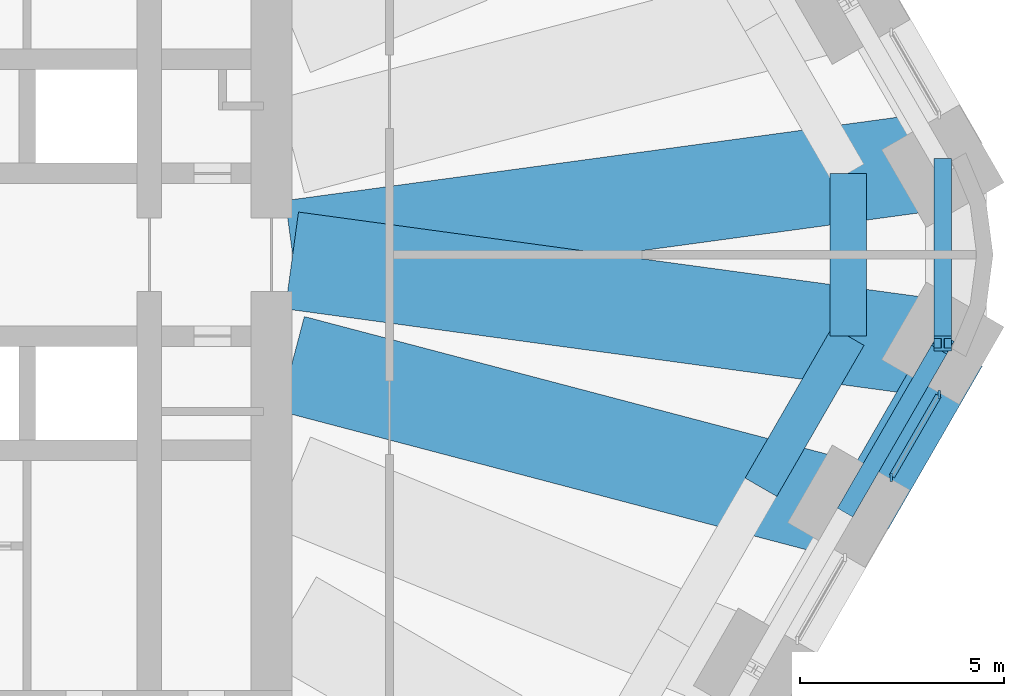
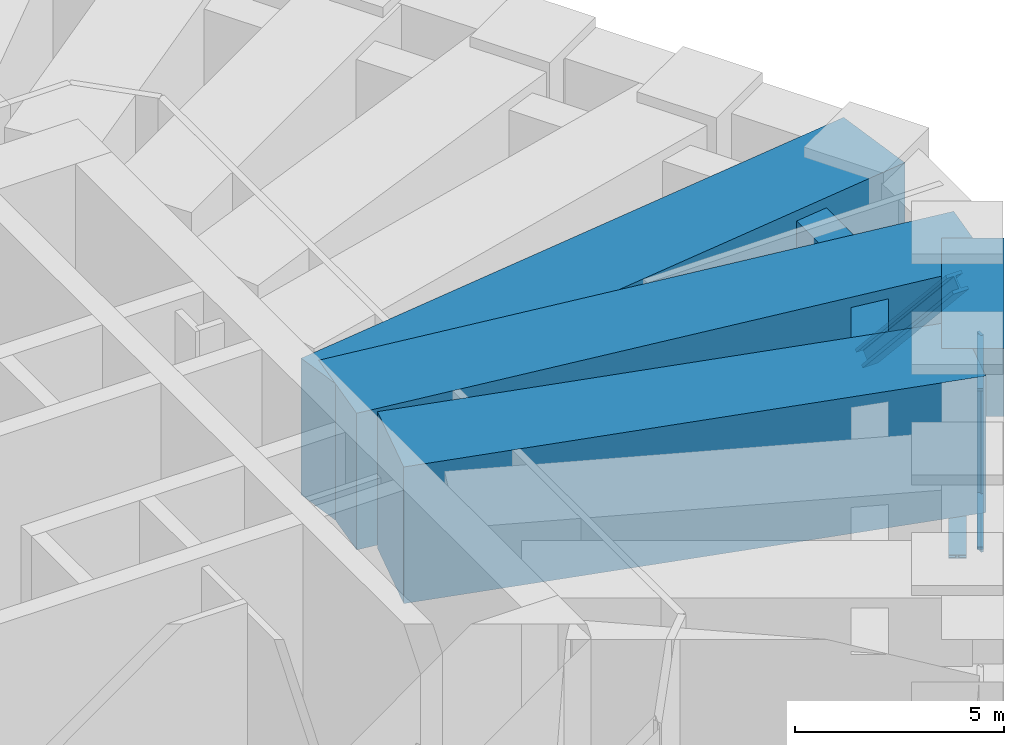
# One storey, part 5 of 14: 6 beams, 6 members, 1 element without a shape of its own.
"""IFC4 building model written with IfcOpenShell, lengths in metres."""

from ifc_helpers import new_model, si_unit, direction, frame, origin, origin_2d, place, context, subcontext, project, spatial, rectangle, i_section, extrude, material, material_profile, profile_set, type_object, element, aggregate, save


model = new_model("IFC4")

# Units and contexts
model_context = context("Model", 3, precision=1e-05, world=origin(), true_north=direction((0.0, 1.0)))
body_context = subcontext(model_context, "Body", "Model", "MODEL_VIEW")
ifc_project = project(units=[si_unit("LENGTHUNIT", "METRE"), si_unit("AREAUNIT", "SQUARE_METRE"), si_unit("VOLUMEUNIT", "CUBIC_METRE"), si_unit("PLANEANGLEUNIT", "RADIAN"), si_unit("MASSUNIT", "GRAM", prefix="KILO")], contexts=[model_context])

# Site, building, storey
site_placement = place(None, origin())
site = spatial("IfcSite", under=ifc_project, at=site_placement, CompositionType="ELEMENT")
building_placement = place(site_placement, origin())
building = spatial("IfcBuilding", under=site, at=building_placement, Name="Tarfa Lantern Tower", CompositionType="ELEMENT")
storey_placement = place(building_placement, frame((0.0, 0.0, 299.5)))
storey = spatial("IfcBuildingStorey", under=building, at=storey_placement, Name="L68", CompositionType="ELEMENT", Elevation=299.5)

# Members
ifc_material_1 = material(Name="Steel S460M", Category="steel")
ifc_material_profile_1 = material_profile(ifc_material_1, i_section(OverallWidth=0.431884765625, OverallDepth=0.498046875, WebThickness=0.0556640625, FlangeThickness=0.0888671875, FilletRadius=0.02001953125, at=origin_2d()), Name="HD400x744")
ifc_profile_set_1 = profile_set([ifc_material_profile_1], Name="Steel S460M")
member_type_1 = type_object("IfcMemberType", Name="BT3 HD400x744", PredefinedType="BRACE", material=ifc_profile_set_1)
member_1_placement = place(storey_placement, frame((29.170654296875, -6.175048828125, 0.60009765625), z_axis=(0.346685053974, 0.600495604642, 0.720565404496), x_axis=(-0.866032426089, 0.499987836815, 0.0)))
element("IfcMember", 1, at=member_1_placement, inside=storey, type_object=member_type_1, Name="Belt truss diagonal 41", PredefinedType="BRACE", context=body_context, shape_type="SweptSolid", body=[
    extrude(i_section(OverallWidth=0.431884765625, OverallDepth=0.498046875, WebThickness=0.0556640625, FlangeThickness=0.0888671875, FilletRadius=0.02001953125, at=origin_2d()), origin(), (0.0, 0.0, 1.0), 6.6611328125),
])
member_2_placement = place(storey_placement, frame((31.47998046875, 2.175048828125, 0.60009765625), z_axis=(0.0, -0.671542704694, 0.74096585331), x_axis=(1.0, 0.0, 0.0)))
element("IfcMember", 2, at=member_2_placement, inside=storey, type_object=member_type_1, Name="Belt truss diagonal 42", PredefinedType="BRACE", context=body_context, shape_type="SweptSolid", body=[
    extrude(i_section(OverallWidth=0.431884765625, OverallDepth=0.498046875, WebThickness=0.0556640625, FlangeThickness=0.0888671875, FilletRadius=0.02001953125, at=origin_2d()), origin(), (0.0, 0.0, 1.0), 6.477783203125),
])

# Curtain wall, members
ifc_material_2 = material(Name="Aluminium framed curtain wall", Category="aluminium")
curtain_wall_type = type_object("IfcCurtainWallType", Name="CW6 LOUVRED SCREEN WALL 4700", PredefinedType="USERDEFINED", material=ifc_material_2)
curtain_wall_placement = place(storey_placement, origin())
curtain_wall = element("IfcCurtainWall", 3, at=curtain_wall_placement, inside=storey, type_object=curtain_wall_type, Name="CW6 SE L68", ObjectType="CURTAIN WALL", PredefinedType="USERDEFINED")
ifc_material_3 = material(Name="Aluminium mullion", Category="aluminium")
ifc_material_profile_2 = material_profile(ifc_material_3, rectangle(XDim=0.06494140625, YDim=0.199951171875, at=origin_2d()), Name="AL MULLION 65x200")
ifc_profile_set_2 = profile_set([ifc_material_profile_2], Name="Aluminium mullion")
member_type_2 = type_object("IfcMemberType", Name="CWM1 MULLION 65x200", PredefinedType="MULLION", material=ifc_profile_set_2)
member_3_placement = place(storey_placement, frame((30.213134765625, -5.46923828125, 0.0), z_axis=(0.0, 0.0, 1.0), x_axis=(1.0, 0.0, 0.0)))
member_3 = element("IfcMember", 4, at=member_3_placement, type_object=member_type_2, Name="CW6 mullion 1", PredefinedType="MULLION", context=body_context, shape_type="SweptSolid", body=[
    extrude(rectangle(XDim=0.06494140625, YDim=0.199951171875, at=origin_2d()), origin(), (0.0, 0.0, 1.0), 4.699951171875),
])
member_4_placement = place(storey_placement, frame((31.39013671875, -3.4306640625, 0.0), z_axis=(0.0, 0.0, 1.0), x_axis=(1.0, 0.0, 0.0)))
member_4 = element("IfcMember", 5, at=member_4_placement, type_object=member_type_2, Name="CW6 mullion 2", PredefinedType="MULLION", context=body_context, shape_type="SweptSolid", body=[
    extrude(rectangle(XDim=0.06494140625, YDim=0.199951171875, at=origin_2d()), origin(), (0.0, 0.0, 1.0), 4.699951171875),
])
ifc_material_4 = material(Name="Aluminium transom", Category="aluminium")
ifc_material_profile_3 = material_profile(ifc_material_4, rectangle(XDim=0.14990234375, YDim=0.06494140625, at=origin_2d()), Name="AL TRANSOM 150x65")
ifc_profile_set_3 = profile_set([ifc_material_profile_3], Name="Aluminium transom")
member_type_3 = type_object("IfcMemberType", Name="CWT1 TRANSOM 150x65", PredefinedType="USERDEFINED", material=ifc_profile_set_3)
member_5_placement = place(storey_placement, frame((30.2294921875, -5.441162109375, 0.032470703125), z_axis=(0.499959451571, 0.866048813165, 0.0), x_axis=(-0.866048813165, 0.499959451571, 0.0)))
member_5 = element("IfcMember", 6, at=member_5_placement, type_object=member_type_3, Name="CW6 transom 1.1", ObjectType="TRANSOM", PredefinedType="USERDEFINED", context=body_context, shape_type="SweptSolid", body=[
    extrude(rectangle(XDim=0.14990234375, YDim=0.06494140625, at=origin_2d()), origin(), (0.0, 0.0, 1.0), 2.288818359375),
])
member_6_placement = place(storey_placement, frame((30.2294921875, -5.441162109375, 4.66748046875), z_axis=(0.499959451571, 0.866048813165, 0.0), x_axis=(-0.866048813165, 0.499959451571, 0.0)))
member_6 = element("IfcMember", 7, at=member_6_placement, type_object=member_type_3, Name="CW6 transom 1.2", ObjectType="TRANSOM", PredefinedType="USERDEFINED", context=body_context, shape_type="SweptSolid", body=[
    extrude(rectangle(XDim=0.14990234375, YDim=0.06494140625, at=origin_2d()), origin(), (0.0, 0.0, 1.0), 2.288818359375),
])
aggregate(curtain_wall, [member_3, member_4, member_5, member_6])

# Beams
ifc_material_5 = material(Name="Concrete C80/95", Category="concrete")
ifc_material_profile_4 = material_profile(ifc_material_5, rectangle(XDim=1.5, YDim=2.0, at=origin_2d()), Name="RC 1500x2000")
ifc_profile_set_4 = profile_set([ifc_material_profile_4], Name="Concrete C80/95")
beam_type_1 = type_object("IfcBeamType", Name="RB3 RC 1500x2000", PredefinedType="BEAM", material=ifc_profile_set_4)
beam_1_placement = place(storey_placement, frame((29.490966796875, -6.360107421875, 5.699951171875), z_axis=(0.500027479704, 0.866009537788, 0.0), x_axis=(-0.866009537788, 0.500027479704, 0.0)))
element("IfcBeam", 8, at=beam_1_placement, inside=storey, type_object=beam_type_1, Name="Edge beam SE5", PredefinedType="BEAM", context=body_context, shape_type="SweptSolid", body=[
    extrude(rectangle(XDim=1.5, YDim=2.0, at=origin_2d()), origin(), (0.0, 0.0, 1.0), 4.618896484375),
])
ifc_material_profile_5 = material_profile(ifc_material_5, rectangle(XDim=0.89990234375, YDim=3.39990234375, at=origin_2d()), Name="RC 900x3400")
ifc_profile_set_5 = profile_set([ifc_material_profile_5], Name="Concrete C80/95")
beam_type_2 = type_object("IfcBeamType", Name="RG3 RC 900x3400", PredefinedType="BEAM", material=ifc_profile_set_5)
beam_2_placement = place(storey_placement, frame((27.01513671875, -5.708251953125, 4.699951171875), z_axis=(0.500026801138, 0.866009929587, 0.0), x_axis=(-0.866009929587, 0.500026801138, 0.0)))
element("IfcBeam", 9, at=beam_2_placement, inside=storey, type_object=beam_type_2, Name="Ring girder SE5", PredefinedType="BEAM", context=body_context, shape_type="SweptSolid", body=[
    extrude(rectangle(XDim=0.89990234375, YDim=3.39990234375, at=origin_2d()), origin(), (0.0, 0.0, 1.0), 4.281982421875),
])
beam_3_placement = place(storey_placement, frame((29.15625, -2.0, 4.699951171875), z_axis=(0.0, 1.0, 0.0), x_axis=(-1.0, 0.0, 0.0)))
element("IfcBeam", 10, at=beam_3_placement, inside=storey, type_object=beam_type_2, Name="Ring girder SE6", PredefinedType="BEAM", context=body_context, shape_type="SweptSolid", body=[
    extrude(rectangle(XDim=0.89990234375, YDim=3.39990234375, at=origin_2d()), origin(), (0.0, 0.0, 1.0), 4.0),
])
ifc_material_profile_6 = material_profile(ifc_material_5, rectangle(XDim=2.39990234375, YDim=4.0, at=origin_2d()), Name="RC 2400x4000")
ifc_profile_set_6 = profile_set([ifc_material_profile_6], Name="Concrete C80/95")
beam_type_3 = type_object("IfcBeamType", Name="TG3 RC 2400x4000", PredefinedType="BEAM", material=ifc_profile_set_6)
beam_4_placement = place(storey_placement, frame((31.800537109375, 2.360107421875, 4.699951171875), z_axis=(-0.990859133985, -0.134900617489, 0.0), x_axis=(0.134900617489, -0.990859133985, 0.0)))
element("IfcBeam", 11, at=beam_4_placement, inside=storey, type_object=beam_type_3, Name="Transfer girder NE0", PredefinedType="BEAM", context=body_context, shape_type="SweptSolid", body=[
    extrude(rectangle(XDim=2.39990234375, YDim=4.0, at=origin_2d()), origin(), (0.0, 0.0, 1.0), 16.450927734375),
])
beam_5_placement = place(storey_placement, frame((29.490966796875, -6.360107421875, 4.699951171875), z_axis=(-0.967061201985, 0.25454396794, 0.0), x_axis=(-0.25454396794, -0.967061201985, 0.0)))
element("IfcBeam", 12, at=beam_5_placement, inside=storey, type_object=beam_type_3, Name="Transfer girder SE5", PredefinedType="BEAM", context=body_context, shape_type="SweptSolid", body=[
    extrude(rectangle(XDim=2.39990234375, YDim=4.0, at=origin_2d()), origin(), (0.0, 0.0, 1.0), 14.467529296875),
])
beam_6_placement = place(storey_placement, frame((31.800537109375, -2.360107421875, 4.699951171875), z_axis=(-0.990859133985, 0.134900617489, 0.0), x_axis=(-0.134900617489, -0.990859133985, 0.0)))
element("IfcBeam", 13, at=beam_6_placement, inside=storey, type_object=beam_type_3, Name="Transfer girder SE6", PredefinedType="BEAM", context=body_context, shape_type="SweptSolid", body=[
    extrude(rectangle(XDim=2.39990234375, YDim=4.0, at=origin_2d()), origin(), (0.0, 0.0, 1.0), 16.450927734375),
])

save(model, "model.ifc")
